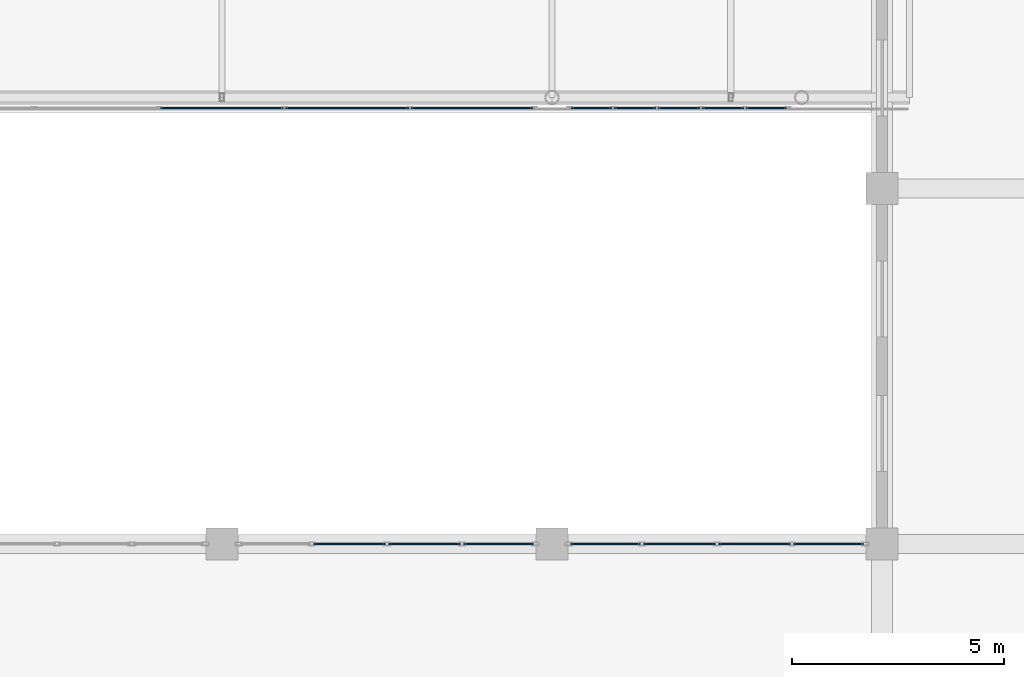
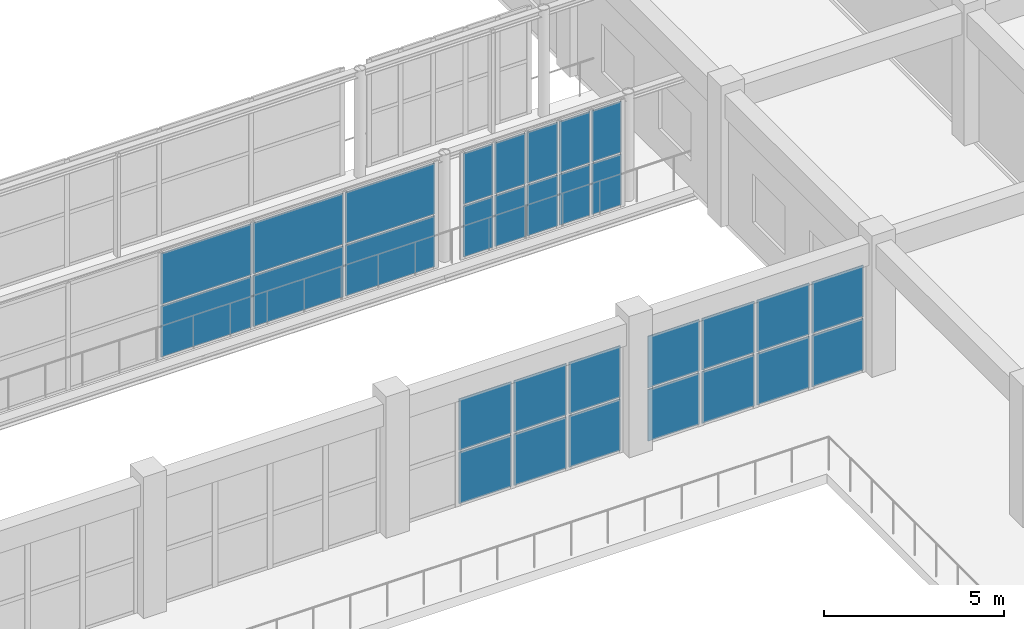
# One storey, part 139 of 175: 30 plates, 4 elements without a shape of their own.
"""IFC4 building model written with IfcOpenShell, lengths in metres."""

from ifc_helpers import new_model, si_unit, direction, frame, origin, origin_2d, place, context, subcontext, project, spatial, rectangle, extrude, material, layer, layer_set, type_object, element, aggregate, save


model = new_model("IFC4")

# Units and contexts
model_context = context("Model", 3, precision=1e-05, world=origin(), true_north=direction((0.0, 1.0)))
body_context = subcontext(model_context, "Body", "Model", "MODEL_VIEW")
ifc_project = project(units=[si_unit("LENGTHUNIT", "METRE"), si_unit("AREAUNIT", "SQUARE_METRE"), si_unit("VOLUMEUNIT", "CUBIC_METRE"), si_unit("PLANEANGLEUNIT", "RADIAN"), si_unit("MASSUNIT", "GRAM", prefix="KILO")], contexts=[model_context])

# Site, building, storey
site_placement = place(None, origin())
site = spatial("IfcSite", under=ifc_project, at=site_placement, CompositionType="ELEMENT")
building_placement = place(site_placement, origin())
building = spatial("IfcBuilding", under=site, at=building_placement, Name="Zizhar Promenade General Hospital", CompositionType="ELEMENT")
storey_placement = place(building_placement, frame((0.0, 0.0, 4.800048828125)))
storey = spatial("IfcBuildingStorey", under=building, at=storey_placement, Name="L01", CompositionType="ELEMENT", Elevation=4.800048828125)

# Curtain wall, plates
ifc_material_1 = material(Name="Anodised aluminium 6063-T6 and low-E glass", Category="aluminium")
ifc_layer_1 = layer(ifc_material_1, 0.159912109375)
ifc_layer_set_1 = layer_set([ifc_layer_1], Name="Anodised aluminium 6063-T6 and low-E glass")
curtain_wall_type_1 = type_object("IfcCurtainWallType", Name="CW-HALL-N", PredefinedType="NOTDEFINED", material=ifc_layer_set_1)
curtain_wall_1_placement = place(storey_placement, origin())
curtain_wall_1 = element("IfcCurtainWall", 1, at=curtain_wall_1_placement, inside=storey, type_object=curtain_wall_type_1, Name="Main Hall Courtyard Curtain Wall L01-14", PredefinedType="NOTDEFINED")
ifc_material_2 = material(Name="Low-E solar-control glass", Category="glass")
ifc_layer_2 = layer(ifc_material_2, 0.031982421875)
ifc_layer_set_2 = layer_set([ifc_layer_2], Name="Low-E solar-control glass")
plate_type = type_object("IfcPlateType", Name="CWP-GLZ-32", PredefinedType="CURTAIN_PANEL", material=ifc_layer_set_2)
plate_1_placement = place(storey_placement, frame((112.215087890625, 50.39990234375, 0.06005859375), z_axis=(0.0, 0.0, 1.0), x_axis=(1.0, 0.0, 0.0)))
plate_1 = element("IfcPlate", 2, at=plate_1_placement, type_object=plate_type, Name="CW-02 panel 2.1", PredefinedType="CURTAIN_PANEL", context=body_context, shape_type="SweptSolid", body=[
    extrude(rectangle(XDim=1.68994140625, YDim=0.031982421875, at=origin_2d()), origin(), (0.0, 0.0, 1.0), 1.75),
])
plate_2_placement = place(storey_placement, frame((112.215087890625, 50.39990234375, 1.869873046875), z_axis=(0.0, 0.0, 1.0), x_axis=(1.0, 0.0, 0.0)))
plate_2 = element("IfcPlate", 3, at=plate_2_placement, type_object=plate_type, Name="CW-02 panel 2.2", PredefinedType="CURTAIN_PANEL", context=body_context, shape_type="SweptSolid", body=[
    extrude(rectangle(XDim=1.68994140625, YDim=0.031982421875, at=origin_2d()), origin(), (0.0, 0.0, 1.0), 1.75),
])
plate_3_placement = place(storey_placement, frame((113.985107421875, 50.39990234375, 0.06005859375), z_axis=(0.0, 0.0, 1.0), x_axis=(1.0, 0.0, 0.0)))
plate_3 = element("IfcPlate", 4, at=plate_3_placement, type_object=plate_type, Name="CW-02 panel 3.1", PredefinedType="CURTAIN_PANEL", context=body_context, shape_type="SweptSolid", body=[
    extrude(rectangle(XDim=1.68994140625, YDim=0.031982421875, at=origin_2d()), origin(), (0.0, 0.0, 1.0), 1.75),
])
plate_4_placement = place(storey_placement, frame((113.985107421875, 50.39990234375, 1.869873046875), z_axis=(0.0, 0.0, 1.0), x_axis=(1.0, 0.0, 0.0)))
plate_4 = element("IfcPlate", 5, at=plate_4_placement, type_object=plate_type, Name="CW-02 panel 3.2", PredefinedType="CURTAIN_PANEL", context=body_context, shape_type="SweptSolid", body=[
    extrude(rectangle(XDim=1.68994140625, YDim=0.031982421875, at=origin_2d()), origin(), (0.0, 0.0, 1.0), 1.75),
])
plate_5_placement = place(storey_placement, frame((115.735107421875, 50.39990234375, 0.06005859375), z_axis=(0.0, 0.0, 1.0), x_axis=(1.0, 0.0, 0.0)))
plate_5 = element("IfcPlate", 6, at=plate_5_placement, type_object=plate_type, Name="CW-02 panel 4.1", PredefinedType="CURTAIN_PANEL", context=body_context, shape_type="SweptSolid", body=[
    extrude(rectangle(XDim=1.64990234375, YDim=0.031982421875, at=origin_2d()), origin(), (0.0, 0.0, 1.0), 1.75),
])
plate_6_placement = place(storey_placement, frame((115.735107421875, 50.39990234375, 1.869873046875), z_axis=(0.0, 0.0, 1.0), x_axis=(1.0, 0.0, 0.0)))
plate_6 = element("IfcPlate", 7, at=plate_6_placement, type_object=plate_type, Name="CW-02 panel 4.2", PredefinedType="CURTAIN_PANEL", context=body_context, shape_type="SweptSolid", body=[
    extrude(rectangle(XDim=1.64990234375, YDim=0.031982421875, at=origin_2d()), origin(), (0.0, 0.0, 1.0), 1.75),
])
aggregate(curtain_wall_1, [plate_1, plate_2, plate_3, plate_4, plate_5, plate_6])

curtain_wall_2_placement = place(storey_placement, origin())
curtain_wall_2 = element("IfcCurtainWall", 8, at=curtain_wall_2_placement, inside=storey, type_object=curtain_wall_type_1, Name="Main Hall Courtyard Curtain Wall L01-15", PredefinedType="NOTDEFINED")
plate_7_placement = place(storey_placement, frame((118.264892578125, 50.39990234375, 0.06005859375), z_axis=(0.0, 0.0, 1.0), x_axis=(1.0, 0.0, 0.0)))
plate_7 = element("IfcPlate", 9, at=plate_7_placement, type_object=plate_type, Name="CW-02 panel 1.1", PredefinedType="CURTAIN_PANEL", context=body_context, shape_type="SweptSolid", body=[
    extrude(rectangle(XDim=1.64990234375, YDim=0.031982421875, at=origin_2d()), origin(), (0.0, 0.0, 1.0), 1.75),
])
plate_8_placement = place(storey_placement, frame((118.264892578125, 50.39990234375, 1.869873046875), z_axis=(0.0, 0.0, 1.0), x_axis=(1.0, 0.0, 0.0)))
plate_8 = element("IfcPlate", 10, at=plate_8_placement, type_object=plate_type, Name="CW-02 panel 1.2", PredefinedType="CURTAIN_PANEL", context=body_context, shape_type="SweptSolid", body=[
    extrude(rectangle(XDim=1.64990234375, YDim=0.031982421875, at=origin_2d()), origin(), (0.0, 0.0, 1.0), 1.75),
])
plate_9_placement = place(storey_placement, frame((120.014892578125, 50.39990234375, 0.06005859375), z_axis=(0.0, 0.0, 1.0), x_axis=(1.0, 0.0, 0.0)))
plate_9 = element("IfcPlate", 11, at=plate_9_placement, type_object=plate_type, Name="CW-02 panel 2.1", PredefinedType="CURTAIN_PANEL", context=body_context, shape_type="SweptSolid", body=[
    extrude(rectangle(XDim=1.68994140625, YDim=0.031982421875, at=origin_2d()), origin(), (0.0, 0.0, 1.0), 1.75),
])
plate_10_placement = place(storey_placement, frame((120.014892578125, 50.39990234375, 1.869873046875), z_axis=(0.0, 0.0, 1.0), x_axis=(1.0, 0.0, 0.0)))
plate_10 = element("IfcPlate", 12, at=plate_10_placement, type_object=plate_type, Name="CW-02 panel 2.2", PredefinedType="CURTAIN_PANEL", context=body_context, shape_type="SweptSolid", body=[
    extrude(rectangle(XDim=1.68994140625, YDim=0.031982421875, at=origin_2d()), origin(), (0.0, 0.0, 1.0), 1.75),
])
plate_11_placement = place(storey_placement, frame((121.784912109375, 50.39990234375, 0.06005859375), z_axis=(0.0, 0.0, 1.0), x_axis=(1.0, 0.0, 0.0)))
plate_11 = element("IfcPlate", 13, at=plate_11_placement, type_object=plate_type, Name="CW-02 panel 3.1", PredefinedType="CURTAIN_PANEL", context=body_context, shape_type="SweptSolid", body=[
    extrude(rectangle(XDim=1.68994140625, YDim=0.031982421875, at=origin_2d()), origin(), (0.0, 0.0, 1.0), 1.75),
])
plate_12_placement = place(storey_placement, frame((121.784912109375, 50.39990234375, 1.869873046875), z_axis=(0.0, 0.0, 1.0), x_axis=(1.0, 0.0, 0.0)))
plate_12 = element("IfcPlate", 14, at=plate_12_placement, type_object=plate_type, Name="CW-02 panel 3.2", PredefinedType="CURTAIN_PANEL", context=body_context, shape_type="SweptSolid", body=[
    extrude(rectangle(XDim=1.68994140625, YDim=0.031982421875, at=origin_2d()), origin(), (0.0, 0.0, 1.0), 1.75),
])
plate_13_placement = place(storey_placement, frame((123.534912109375, 50.39990234375, 0.06005859375), z_axis=(0.0, 0.0, 1.0), x_axis=(1.0, 0.0, 0.0)))
plate_13 = element("IfcPlate", 15, at=plate_13_placement, type_object=plate_type, Name="CW-02 panel 4.1", PredefinedType="CURTAIN_PANEL", context=body_context, shape_type="SweptSolid", body=[
    extrude(rectangle(XDim=1.64990234375, YDim=0.031982421875, at=origin_2d()), origin(), (0.0, 0.0, 1.0), 1.75),
])
plate_14_placement = place(storey_placement, frame((123.534912109375, 50.39990234375, 1.869873046875), z_axis=(0.0, 0.0, 1.0), x_axis=(1.0, 0.0, 0.0)))
plate_14 = element("IfcPlate", 16, at=plate_14_placement, type_object=plate_type, Name="CW-02 panel 4.2", PredefinedType="CURTAIN_PANEL", context=body_context, shape_type="SweptSolid", body=[
    extrude(rectangle(XDim=1.64990234375, YDim=0.031982421875, at=origin_2d()), origin(), (0.0, 0.0, 1.0), 1.75),
])
aggregate(curtain_wall_2, [plate_7, plate_8, plate_9, plate_10, plate_11, plate_12, plate_13, plate_14])

ifc_material_3 = material(Name="Anodised aluminium 6063-T6 and low-E glass", Category="aluminium")
ifc_layer_3 = layer(ifc_material_3, 0.159912109375)
ifc_layer_set_3 = layer_set([ifc_layer_3], Name="Anodised aluminium 6063-T6 and low-E glass")
curtain_wall_type_2 = type_object("IfcCurtainWallType", Name="CW-SKY-GLZ", PredefinedType="NOTDEFINED", material=ifc_layer_set_3)
curtain_wall_3_placement = place(storey_placement, origin())
curtain_wall_3 = element("IfcCurtainWall", 17, at=curtain_wall_3_placement, inside=storey, type_object=curtain_wall_type_2, Name="Courtyard Clinical Skybridge Level L01 South Glazing 3", PredefinedType="NOTDEFINED")
plate_15_placement = place(storey_placement, frame((115.10498046875, 60.699951171875, 0.06005859375), z_axis=(0.0, 0.0, 1.0), x_axis=(-1.0, 0.0, 0.0)))
plate_15 = element("IfcPlate", 18, at=plate_15_placement, type_object=plate_type, Name="CW-15 panel 1.1", PredefinedType="CURTAIN_PANEL", context=body_context, shape_type="SweptSolid", body=[
    extrude(rectangle(XDim=2.8701171875, YDim=0.031982421875, at=origin_2d()), origin(), (0.0, 0.0, 1.0), 1.72998046875),
])
plate_16_placement = place(storey_placement, frame((115.10498046875, 60.699951171875, 1.849853515625), z_axis=(0.0, 0.0, 1.0), x_axis=(-1.0, 0.0, 0.0)))
plate_16 = element("IfcPlate", 19, at=plate_16_placement, type_object=plate_type, Name="CW-15 panel 1.2", PredefinedType="CURTAIN_PANEL", context=body_context, shape_type="SweptSolid", body=[
    extrude(rectangle(XDim=2.8701171875, YDim=0.031982421875, at=origin_2d()), origin(), (0.0, 0.0, 1.0), 1.72998046875),
])
plate_17_placement = place(storey_placement, frame((112.159912109375, 60.699951171875, 0.06005859375), z_axis=(0.0, 0.0, 1.0), x_axis=(-1.0, 0.0, 0.0)))
plate_17 = element("IfcPlate", 20, at=plate_17_placement, type_object=plate_type, Name="CW-15 panel 2.1", PredefinedType="CURTAIN_PANEL", context=body_context, shape_type="SweptSolid", body=[
    extrude(rectangle(XDim=2.89990234375, YDim=0.031982421875, at=origin_2d()), origin(), (0.0, 0.0, 1.0), 1.72998046875),
])
plate_18_placement = place(storey_placement, frame((112.159912109375, 60.699951171875, 1.849853515625), z_axis=(0.0, 0.0, 1.0), x_axis=(-1.0, 0.0, 0.0)))
plate_18 = element("IfcPlate", 21, at=plate_18_placement, type_object=plate_type, Name="CW-15 panel 2.2", PredefinedType="CURTAIN_PANEL", context=body_context, shape_type="SweptSolid", body=[
    extrude(rectangle(XDim=2.89990234375, YDim=0.031982421875, at=origin_2d()), origin(), (0.0, 0.0, 1.0), 1.72998046875),
])
plate_19_placement = place(storey_placement, frame((109.199951171875, 60.699951171875, 0.06005859375), z_axis=(0.0, 0.0, 1.0), x_axis=(-1.0, 0.0, 0.0)))
plate_19 = element("IfcPlate", 22, at=plate_19_placement, type_object=plate_type, Name="CW-15 panel 3.1", PredefinedType="CURTAIN_PANEL", context=body_context, shape_type="SweptSolid", body=[
    extrude(rectangle(XDim=2.89990234375, YDim=0.031982421875, at=origin_2d()), origin(), (0.0, 0.0, 1.0), 1.72998046875),
])
plate_20_placement = place(storey_placement, frame((109.199951171875, 60.699951171875, 1.849853515625), z_axis=(0.0, 0.0, 1.0), x_axis=(-1.0, 0.0, 0.0)))
plate_20 = element("IfcPlate", 23, at=plate_20_placement, type_object=plate_type, Name="CW-15 panel 3.2", PredefinedType="CURTAIN_PANEL", context=body_context, shape_type="SweptSolid", body=[
    extrude(rectangle(XDim=2.89990234375, YDim=0.031982421875, at=origin_2d()), origin(), (0.0, 0.0, 1.0), 1.72998046875),
])
aggregate(curtain_wall_3, [plate_15, plate_16, plate_17, plate_18, plate_19, plate_20])

curtain_wall_4_placement = place(storey_placement, origin())
curtain_wall_4 = element("IfcCurtainWall", 24, at=curtain_wall_4_placement, inside=storey, type_object=curtain_wall_type_2, Name="Courtyard Clinical Skybridge Level L01 South Glazing 4", PredefinedType="NOTDEFINED")
plate_21_placement = place(storey_placement, frame((122.06494140625, 60.699951171875, 0.06005859375), z_axis=(0.0, 0.0, 1.0), x_axis=(-1.0, 0.0, 0.0)))
plate_21 = element("IfcPlate", 25, at=plate_21_placement, type_object=plate_type, Name="CW-15 panel 1.1", PredefinedType="CURTAIN_PANEL", context=body_context, shape_type="SweptSolid", body=[
    extrude(rectangle(XDim=0.949951171875, YDim=0.031982421875, at=origin_2d()), origin(), (0.0, 0.0, 1.0), 1.72998046875),
])
plate_22_placement = place(storey_placement, frame((122.06494140625, 60.699951171875, 1.849853515625), z_axis=(0.0, 0.0, 1.0), x_axis=(-1.0, 0.0, 0.0)))
plate_22 = element("IfcPlate", 26, at=plate_22_placement, type_object=plate_type, Name="CW-15 panel 1.2", PredefinedType="CURTAIN_PANEL", context=body_context, shape_type="SweptSolid", body=[
    extrude(rectangle(XDim=0.949951171875, YDim=0.031982421875, at=origin_2d()), origin(), (0.0, 0.0, 1.0), 1.72998046875),
])
plate_23_placement = place(storey_placement, frame((121.0400390625, 60.699951171875, 0.06005859375), z_axis=(0.0, 0.0, 1.0), x_axis=(-1.0, 0.0, 0.0)))
plate_23 = element("IfcPlate", 27, at=plate_23_placement, type_object=plate_type, Name="CW-15 panel 2.1", PredefinedType="CURTAIN_PANEL", context=body_context, shape_type="SweptSolid", body=[
    extrude(rectangle(XDim=0.97998046875, YDim=0.031982421875, at=origin_2d()), origin(), (0.0, 0.0, 1.0), 1.72998046875),
])
plate_24_placement = place(storey_placement, frame((121.0400390625, 60.699951171875, 1.849853515625), z_axis=(0.0, 0.0, 1.0), x_axis=(-1.0, 0.0, 0.0)))
plate_24 = element("IfcPlate", 28, at=plate_24_placement, type_object=plate_type, Name="CW-15 panel 2.2", PredefinedType="CURTAIN_PANEL", context=body_context, shape_type="SweptSolid", body=[
    extrude(rectangle(XDim=0.97998046875, YDim=0.031982421875, at=origin_2d()), origin(), (0.0, 0.0, 1.0), 1.72998046875),
])
plate_25_placement = place(storey_placement, frame((120.0, 60.699951171875, 0.06005859375), z_axis=(0.0, 0.0, 1.0), x_axis=(-1.0, 0.0, 0.0)))
plate_25 = element("IfcPlate", 29, at=plate_25_placement, type_object=plate_type, Name="CW-15 panel 3.1", PredefinedType="CURTAIN_PANEL", context=body_context, shape_type="SweptSolid", body=[
    extrude(rectangle(XDim=0.97998046875, YDim=0.031982421875, at=origin_2d()), origin(), (0.0, 0.0, 1.0), 1.72998046875),
])
plate_26_placement = place(storey_placement, frame((120.0, 60.699951171875, 1.849853515625), z_axis=(0.0, 0.0, 1.0), x_axis=(-1.0, 0.0, 0.0)))
plate_26 = element("IfcPlate", 30, at=plate_26_placement, type_object=plate_type, Name="CW-15 panel 3.2", PredefinedType="CURTAIN_PANEL", context=body_context, shape_type="SweptSolid", body=[
    extrude(rectangle(XDim=0.97998046875, YDim=0.031982421875, at=origin_2d()), origin(), (0.0, 0.0, 1.0), 1.72998046875),
])
plate_27_placement = place(storey_placement, frame((118.9599609375, 60.699951171875, 0.06005859375), z_axis=(0.0, 0.0, 1.0), x_axis=(-1.0, 0.0, 0.0)))
plate_27 = element("IfcPlate", 31, at=plate_27_placement, type_object=plate_type, Name="CW-15 panel 4.1", PredefinedType="CURTAIN_PANEL", context=body_context, shape_type="SweptSolid", body=[
    extrude(rectangle(XDim=0.97998046875, YDim=0.031982421875, at=origin_2d()), origin(), (0.0, 0.0, 1.0), 1.72998046875),
])
plate_28_placement = place(storey_placement, frame((118.9599609375, 60.699951171875, 1.849853515625), z_axis=(0.0, 0.0, 1.0), x_axis=(-1.0, 0.0, 0.0)))
plate_28 = element("IfcPlate", 32, at=plate_28_placement, type_object=plate_type, Name="CW-15 panel 4.2", PredefinedType="CURTAIN_PANEL", context=body_context, shape_type="SweptSolid", body=[
    extrude(rectangle(XDim=0.97998046875, YDim=0.031982421875, at=origin_2d()), origin(), (0.0, 0.0, 1.0), 1.72998046875),
])
plate_29_placement = place(storey_placement, frame((117.93505859375, 60.699951171875, 0.06005859375), z_axis=(0.0, 0.0, 1.0), x_axis=(-1.0, 0.0, 0.0)))
plate_29 = element("IfcPlate", 33, at=plate_29_placement, type_object=plate_type, Name="CW-15 panel 5.1", PredefinedType="CURTAIN_PANEL", context=body_context, shape_type="SweptSolid", body=[
    extrude(rectangle(XDim=0.949951171875, YDim=0.031982421875, at=origin_2d()), origin(), (0.0, 0.0, 1.0), 1.72998046875),
])
plate_30_placement = place(storey_placement, frame((117.93505859375, 60.699951171875, 1.849853515625), z_axis=(0.0, 0.0, 1.0), x_axis=(-1.0, 0.0, 0.0)))
plate_30 = element("IfcPlate", 34, at=plate_30_placement, type_object=plate_type, Name="CW-15 panel 5.2", PredefinedType="CURTAIN_PANEL", context=body_context, shape_type="SweptSolid", body=[
    extrude(rectangle(XDim=0.949951171875, YDim=0.031982421875, at=origin_2d()), origin(), (0.0, 0.0, 1.0), 1.72998046875),
])
aggregate(curtain_wall_4, [plate_21, plate_22, plate_23, plate_24, plate_25, plate_26, plate_27, plate_28, plate_29, plate_30])

save(model, "model.ifc")
